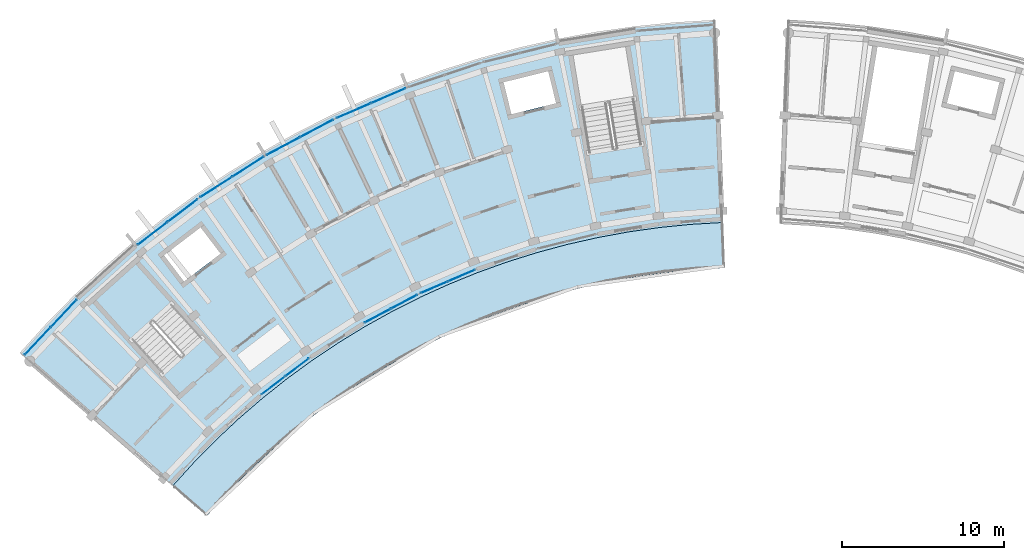
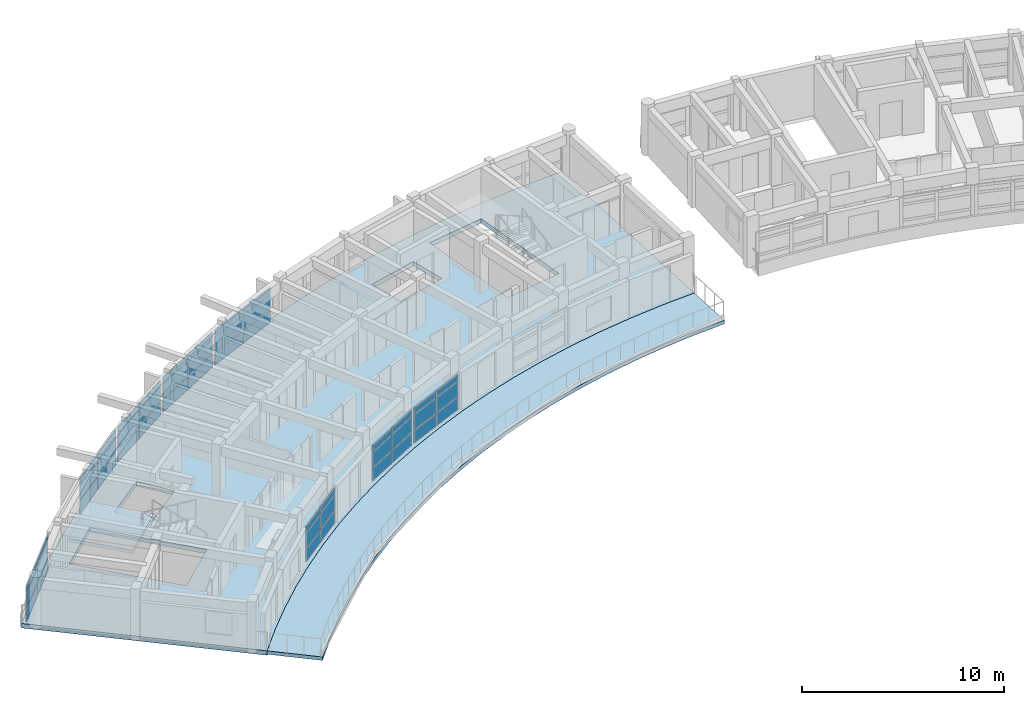
# One storey, part 10 of 23: 48 plates, 3 slabs, 9 elements without a shape of their own.
"""IFC4 building model written with IfcOpenShell, lengths in metres."""

from ifc_helpers import new_model, si_unit, direction, frame, origin, origin_2d, place, context, subcontext, project, spatial, polyline, rectangle, outline, extrude, material, layer, layer_set, type_object, element, aggregate, save


model = new_model("IFC4")

# Units and contexts
model_context = context("Model", 3, precision=1e-05, world=origin(), true_north=direction((0.0, 1.0)))
body_context = subcontext(model_context, "Body", "Model", "MODEL_VIEW")
ifc_project = project(units=[si_unit("LENGTHUNIT", "METRE"), si_unit("AREAUNIT", "SQUARE_METRE"), si_unit("VOLUMEUNIT", "CUBIC_METRE"), si_unit("PLANEANGLEUNIT", "RADIAN"), si_unit("MASSUNIT", "GRAM", prefix="KILO")], contexts=[model_context])

# Site, building, storey
site_placement = place(None, origin())
site = spatial("IfcSite", under=ifc_project, at=site_placement, CompositionType="ELEMENT")
building_placement = place(site_placement, origin())
building = spatial("IfcBuilding", under=site, at=building_placement, Name="Zimvara Arc Housing Community", CompositionType="ELEMENT")
storey_placement = place(building_placement, frame((0.0, 0.0, 36.0)))
storey = spatial("IfcBuildingStorey", under=building, at=storey_placement, Name="L11", CompositionType="ELEMENT", Elevation=36.0)

# Curtain wall, plates
ifc_material_1 = material(Name="Anodised Aluminium AW-6063", Category="aluminium")
curtain_wall_type_1 = type_object("IfcCurtainWallType", Name="CW-SYS-08", PredefinedType="USERDEFINED", material=ifc_material_1)
curtain_wall_1_placement = place(storey_placement, origin())
curtain_wall_1 = element("IfcCurtainWall", 1, at=curtain_wall_1_placement, inside=storey, type_object=curtain_wall_type_1, Name="cw:blkA:L11:out:b2", ObjectType="CURTAIN WALL", PredefinedType="USERDEFINED")
ifc_material_2 = material(Name="Pale-Gold Anodised Aluminium Spandrel Panel", Category="aluminium")
ifc_layer_1 = layer(ifc_material_2, 0.035888671875)
ifc_layer_set_1 = layer_set([ifc_layer_1], Name="Pale-Gold Anodised Aluminium Spandrel Panel")
plate_type_1 = type_object("IfcPlateType", Name="CWP-GLD-36", PredefinedType="CURTAIN_PANEL", material=ifc_layer_set_1)
plate_1_placement = place(storey_placement, frame((8.118896484375, 90.9892578125, 0.06494140625), z_axis=(0.0, 0.0, 1.0), x_axis=(0.795473999177, 0.60598771987, 0.0)))
plate_1 = element("IfcPlate", 2, at=plate_1_placement, type_object=plate_type_1, Name="CW08 panel 1.1", PredefinedType="CURTAIN_PANEL", context=body_context, shape_type="SweptSolid", body=[
    extrude(rectangle(XDim=2.266845703125, YDim=0.035888671875, at=origin_2d()), origin(), (0.0, 0.0, 1.0), 0.75244140625),
])
plate_2_placement = place(storey_placement, frame((8.118896484375, 90.9892578125, 0.88232421875), z_axis=(0.0, 0.0, 1.0), x_axis=(0.795473999177, 0.60598771987, 0.0)))
plate_2 = element("IfcPlate", 3, at=plate_2_placement, type_object=plate_type_1, Name="CW08 panel 1.2", PredefinedType="CURTAIN_PANEL", context=body_context, shape_type="SweptSolid", body=[
    extrude(rectangle(XDim=2.266845703125, YDim=0.035888671875, at=origin_2d()), origin(), (0.0, 0.0, 1.0), 0.885009765625),
])
plate_3_placement = place(storey_placement, frame((8.118896484375, 90.9892578125, 1.83251953125), z_axis=(0.0, 0.0, 1.0), x_axis=(0.795473999177, 0.60598771987, 0.0)))
plate_3 = element("IfcPlate", 4, at=plate_3_placement, type_object=plate_type_1, Name="CW08 panel 1.3", PredefinedType="CURTAIN_PANEL", context=body_context, shape_type="SweptSolid", body=[
    extrude(rectangle(XDim=2.266845703125, YDim=0.035888671875, at=origin_2d()), origin(), (0.0, 0.0, 1.0), 0.3525390625),
])
plate_4_placement = place(storey_placement, frame((9.973876953125, 92.40234375, 0.06494140625), z_axis=(0.0, 0.0, 1.0), x_axis=(0.795473999177, 0.60598771987, 0.0)))
plate_4 = element("IfcPlate", 5, at=plate_4_placement, type_object=plate_type_1, Name="CW08 panel 2.1", PredefinedType="CURTAIN_PANEL", context=body_context, shape_type="SweptSolid", body=[
    extrude(rectangle(XDim=2.266845703125, YDim=0.035888671875, at=origin_2d()), origin(), (0.0, 0.0, 1.0), 0.75244140625),
])
plate_5_placement = place(storey_placement, frame((9.973876953125, 92.40234375, 0.88232421875), z_axis=(0.0, 0.0, 1.0), x_axis=(0.795473999177, 0.60598771987, 0.0)))
plate_5 = element("IfcPlate", 6, at=plate_5_placement, type_object=plate_type_1, Name="CW08 panel 2.2", PredefinedType="CURTAIN_PANEL", context=body_context, shape_type="SweptSolid", body=[
    extrude(rectangle(XDim=2.266845703125, YDim=0.035888671875, at=origin_2d()), origin(), (0.0, 0.0, 1.0), 0.885009765625),
])
plate_6_placement = place(storey_placement, frame((9.973876953125, 92.40234375, 1.83251953125), z_axis=(0.0, 0.0, 1.0), x_axis=(0.795473999177, 0.60598771987, 0.0)))
plate_6 = element("IfcPlate", 7, at=plate_6_placement, type_object=plate_type_1, Name="CW08 panel 2.3", PredefinedType="CURTAIN_PANEL", context=body_context, shape_type="SweptSolid", body=[
    extrude(rectangle(XDim=2.266845703125, YDim=0.035888671875, at=origin_2d()), origin(), (0.0, 0.0, 1.0), 0.3525390625),
])
aggregate(curtain_wall_1, [plate_1, plate_2, plate_3, plate_4, plate_5, plate_6])

ifc_material_3 = material(Name="Anodised Aluminium AW-6063", Category="aluminium")
curtain_wall_type_2 = type_object("IfcCurtainWallType", Name="CW-SYS-04", PredefinedType="USERDEFINED", material=ifc_material_3)
curtain_wall_2_placement = place(storey_placement, origin())
curtain_wall_2 = element("IfcCurtainWall", 8, at=curtain_wall_2_placement, inside=storey, type_object=curtain_wall_type_2, Name="cw:blkA:L11:in:b4", ObjectType="CURTAIN WALL", PredefinedType="USERDEFINED")
plate_7_placement = place(storey_placement, frame((21.985595703125, 85.92578125, 0.06494140625), z_axis=(0.0, 0.0, 1.0), x_axis=(0.883438518424, 0.468547099195, 0.0)))
plate_7 = element("IfcPlate", 9, at=plate_7_placement, type_object=plate_type_1, Name="CW04 panel 1.1", PredefinedType="CURTAIN_PANEL", context=body_context, shape_type="SweptSolid", body=[
    extrude(rectangle(XDim=1.778564453125, YDim=0.035888671875, at=origin_2d()), origin(), (0.0, 0.0, 1.0), 0.75244140625),
])
plate_8_placement = place(storey_placement, frame((21.985595703125, 85.92578125, 0.88232421875), z_axis=(0.0, 0.0, 1.0), x_axis=(0.883438518424, 0.468547099195, 0.0)))
plate_8 = element("IfcPlate", 10, at=plate_8_placement, type_object=plate_type_1, Name="CW04 panel 1.2", PredefinedType="CURTAIN_PANEL", context=body_context, shape_type="SweptSolid", body=[
    extrude(rectangle(XDim=1.778564453125, YDim=0.035888671875, at=origin_2d()), origin(), (0.0, 0.0, 1.0), 0.885009765625),
])
plate_9_placement = place(storey_placement, frame((21.985595703125, 85.92578125, 1.83251953125), z_axis=(0.0, 0.0, 1.0), x_axis=(0.883438518424, 0.468547099195, 0.0)))
plate_9 = element("IfcPlate", 11, at=plate_9_placement, type_object=plate_type_1, Name="CW04 panel 1.3", PredefinedType="CURTAIN_PANEL", context=body_context, shape_type="SweptSolid", body=[
    extrude(rectangle(XDim=1.778564453125, YDim=0.035888671875, at=origin_2d()), origin(), (0.0, 0.0, 1.0), 0.3525390625),
])
plate_10_placement = place(storey_placement, frame((23.614501953125, 86.78955078125, 0.06494140625), z_axis=(0.0, 0.0, 1.0), x_axis=(0.883438518424, 0.468547099195, 0.0)))
plate_10 = element("IfcPlate", 12, at=plate_10_placement, type_object=plate_type_1, Name="CW04 panel 2.1", PredefinedType="CURTAIN_PANEL", context=body_context, shape_type="SweptSolid", body=[
    extrude(rectangle(XDim=1.778564453125, YDim=0.035888671875, at=origin_2d()), origin(), (0.0, 0.0, 1.0), 0.75244140625),
])
plate_11_placement = place(storey_placement, frame((23.614501953125, 86.78955078125, 0.88232421875), z_axis=(0.0, 0.0, 1.0), x_axis=(0.883438518424, 0.468547099195, 0.0)))
plate_11 = element("IfcPlate", 13, at=plate_11_placement, type_object=plate_type_1, Name="CW04 panel 2.2", PredefinedType="CURTAIN_PANEL", context=body_context, shape_type="SweptSolid", body=[
    extrude(rectangle(XDim=1.778564453125, YDim=0.035888671875, at=origin_2d()), origin(), (0.0, 0.0, 1.0), 0.885009765625),
])
plate_12_placement = place(storey_placement, frame((23.614501953125, 86.78955078125, 1.83251953125), z_axis=(0.0, 0.0, 1.0), x_axis=(0.883438518424, 0.468547099195, 0.0)))
plate_12 = element("IfcPlate", 14, at=plate_12_placement, type_object=plate_type_1, Name="CW04 panel 2.3", PredefinedType="CURTAIN_PANEL", context=body_context, shape_type="SweptSolid", body=[
    extrude(rectangle(XDim=1.778564453125, YDim=0.035888671875, at=origin_2d()), origin(), (0.0, 0.0, 1.0), 0.3525390625),
])
aggregate(curtain_wall_2, [plate_7, plate_8, plate_9, plate_10, plate_11, plate_12])

ifc_material_4 = material(Name="Anodised Aluminium AW-6063", Category="aluminium")
curtain_wall_type_3 = type_object("IfcCurtainWallType", Name="CW-SYS-01", PredefinedType="USERDEFINED", material=ifc_material_4)
curtain_wall_3_placement = place(storey_placement, origin())
curtain_wall_3 = element("IfcCurtainWall", 15, at=curtain_wall_3_placement, inside=storey, type_object=curtain_wall_type_3, Name="cw:blkA:L11:in:b2", ObjectType="CURTAIN WALL", PredefinedType="USERDEFINED")
ifc_material_5 = material(Name="Solar Control Low-E Double Glazing", Category="glass")
ifc_layer_2 = layer(ifc_material_5, 0.02392578125)
ifc_layer_set_2 = layer_set([ifc_layer_2], Name="Solar Control Low-E Double Glazing")
plate_type_2 = type_object("IfcPlateType", Name="CWP-GLZ-24", PredefinedType="CURTAIN_PANEL", material=ifc_layer_set_2)
plate_13_placement = place(storey_placement, frame((15.5546875, 81.63134765625, 0.06494140625), z_axis=(0.0, 0.0, 1.0), x_axis=(0.795473930895, 0.605987809503, 0.0)))
plate_13 = element("IfcPlate", 16, at=plate_13_placement, type_object=plate_type_2, Name="CW01 panel 1.1", PredefinedType="CURTAIN_PANEL", context=body_context, shape_type="SweptSolid", body=[
    extrude(rectangle(XDim=1.778564453125, YDim=0.02392578125, at=origin_2d()), origin(), (0.0, 0.0, 1.0), 0.75244140625),
])
plate_14_placement = place(storey_placement, frame((15.5546875, 81.63134765625, 0.88232421875), z_axis=(0.0, 0.0, 1.0), x_axis=(0.795473930895, 0.605987809503, 0.0)))
plate_14 = element("IfcPlate", 17, at=plate_14_placement, type_object=plate_type_2, Name="CW01 panel 1.2", PredefinedType="CURTAIN_PANEL", context=body_context, shape_type="SweptSolid", body=[
    extrude(rectangle(XDim=1.778564453125, YDim=0.02392578125, at=origin_2d()), origin(), (0.0, 0.0, 1.0), 0.885009765625),
])
plate_15_placement = place(storey_placement, frame((15.5546875, 81.63134765625, 1.83251953125), z_axis=(0.0, 0.0, 1.0), x_axis=(0.795473930895, 0.605987809503, 0.0)))
plate_15 = element("IfcPlate", 18, at=plate_15_placement, type_object=plate_type_2, Name="CW01 panel 1.3", PredefinedType="CURTAIN_PANEL", context=body_context, shape_type="SweptSolid", body=[
    extrude(rectangle(XDim=1.778564453125, YDim=0.02392578125, at=origin_2d()), origin(), (0.0, 0.0, 1.0), 0.3525390625),
])
plate_16_placement = place(storey_placement, frame((17.021240234375, 82.74853515625, 0.06494140625), z_axis=(0.0, 0.0, 1.0), x_axis=(0.795473930895, 0.605987809503, 0.0)))
plate_16 = element("IfcPlate", 19, at=plate_16_placement, type_object=plate_type_2, Name="CW01 panel 2.1", PredefinedType="CURTAIN_PANEL", context=body_context, shape_type="SweptSolid", body=[
    extrude(rectangle(XDim=1.778564453125, YDim=0.02392578125, at=origin_2d()), origin(), (0.0, 0.0, 1.0), 0.75244140625),
])
plate_17_placement = place(storey_placement, frame((17.021240234375, 82.74853515625, 0.88232421875), z_axis=(0.0, 0.0, 1.0), x_axis=(0.795473930895, 0.605987809503, 0.0)))
plate_17 = element("IfcPlate", 20, at=plate_17_placement, type_object=plate_type_2, Name="CW01 panel 2.2", PredefinedType="CURTAIN_PANEL", context=body_context, shape_type="SweptSolid", body=[
    extrude(rectangle(XDim=1.778564453125, YDim=0.02392578125, at=origin_2d()), origin(), (0.0, 0.0, 1.0), 0.885009765625),
])
plate_18_placement = place(storey_placement, frame((17.021240234375, 82.74853515625, 1.83251953125), z_axis=(0.0, 0.0, 1.0), x_axis=(0.795473930895, 0.605987809503, 0.0)))
plate_18 = element("IfcPlate", 21, at=plate_18_placement, type_object=plate_type_2, Name="CW01 panel 2.3", PredefinedType="CURTAIN_PANEL", context=body_context, shape_type="SweptSolid", body=[
    extrude(rectangle(XDim=1.778564453125, YDim=0.02392578125, at=origin_2d()), origin(), (0.0, 0.0, 1.0), 0.3525390625),
])
aggregate(curtain_wall_3, [plate_13, plate_14, plate_15, plate_16, plate_17, plate_18])

ifc_material_6 = material(Name="Anodised Aluminium AW-6063", Category="aluminium")
curtain_wall_type_4 = type_object("IfcCurtainWallType", Name="CW-SYS-05", PredefinedType="USERDEFINED", material=ifc_material_6)
curtain_wall_4_placement = place(storey_placement, origin())
curtain_wall_4 = element("IfcCurtainWall", 22, at=curtain_wall_4_placement, inside=storey, type_object=curtain_wall_type_4, Name="cw:blkA:L11:out:b5", ObjectType="CURTAIN WALL", PredefinedType="USERDEFINED")
plate_19_placement = place(storey_placement, frame((20.4990234375, 98.5478515625, 0.06494140625), z_axis=(0.0, 0.0, 1.0), x_axis=(0.918722299363, 0.394904211998, 0.0)))
plate_19 = element("IfcPlate", 23, at=plate_19_placement, type_object=plate_type_2, Name="CW05 panel 1.1", PredefinedType="CURTAIN_PANEL", context=body_context, shape_type="SweptSolid", body=[
    extrude(rectangle(XDim=2.266845703125, YDim=0.02392578125, at=origin_2d()), origin(), (0.0, 0.0, 1.0), 0.75244140625),
])
plate_20_placement = place(storey_placement, frame((20.4990234375, 98.5478515625, 0.88232421875), z_axis=(0.0, 0.0, 1.0), x_axis=(0.918722299363, 0.394904211998, 0.0)))
plate_20 = element("IfcPlate", 24, at=plate_20_placement, type_object=plate_type_2, Name="CW05 panel 1.2", PredefinedType="CURTAIN_PANEL", context=body_context, shape_type="SweptSolid", body=[
    extrude(rectangle(XDim=2.266845703125, YDim=0.02392578125, at=origin_2d()), origin(), (0.0, 0.0, 1.0), 0.885009765625),
])
plate_21_placement = place(storey_placement, frame((20.4990234375, 98.5478515625, 1.83251953125), z_axis=(0.0, 0.0, 1.0), x_axis=(0.918722299363, 0.394904211998, 0.0)))
plate_21 = element("IfcPlate", 25, at=plate_21_placement, type_object=plate_type_2, Name="CW05 panel 1.3", PredefinedType="CURTAIN_PANEL", context=body_context, shape_type="SweptSolid", body=[
    extrude(rectangle(XDim=2.266845703125, YDim=0.02392578125, at=origin_2d()), origin(), (0.0, 0.0, 1.0), 0.3525390625),
])
plate_22_placement = place(storey_placement, frame((22.641357421875, 99.46875, 0.06494140625), z_axis=(0.0, 0.0, 1.0), x_axis=(0.918722299363, 0.394904211998, 0.0)))
plate_22 = element("IfcPlate", 26, at=plate_22_placement, type_object=plate_type_2, Name="CW05 panel 2.1", PredefinedType="CURTAIN_PANEL", context=body_context, shape_type="SweptSolid", body=[
    extrude(rectangle(XDim=2.266845703125, YDim=0.02392578125, at=origin_2d()), origin(), (0.0, 0.0, 1.0), 0.75244140625),
])
plate_23_placement = place(storey_placement, frame((22.641357421875, 99.46875, 0.88232421875), z_axis=(0.0, 0.0, 1.0), x_axis=(0.918722299363, 0.394904211998, 0.0)))
plate_23 = element("IfcPlate", 27, at=plate_23_placement, type_object=plate_type_2, Name="CW05 panel 2.2", PredefinedType="CURTAIN_PANEL", context=body_context, shape_type="SweptSolid", body=[
    extrude(rectangle(XDim=2.266845703125, YDim=0.02392578125, at=origin_2d()), origin(), (0.0, 0.0, 1.0), 0.885009765625),
])
plate_24_placement = place(storey_placement, frame((22.641357421875, 99.46875, 1.83251953125), z_axis=(0.0, 0.0, 1.0), x_axis=(0.918722299363, 0.394904211998, 0.0)))
plate_24 = element("IfcPlate", 28, at=plate_24_placement, type_object=plate_type_2, Name="CW05 panel 2.3", PredefinedType="CURTAIN_PANEL", context=body_context, shape_type="SweptSolid", body=[
    extrude(rectangle(XDim=2.266845703125, YDim=0.02392578125, at=origin_2d()), origin(), (0.0, 0.0, 1.0), 0.3525390625),
])
aggregate(curtain_wall_4, [plate_19, plate_20, plate_21, plate_22, plate_23, plate_24])

ifc_material_7 = material(Name="Anodised Aluminium AW-6063", Category="aluminium")
curtain_wall_type_5 = type_object("IfcCurtainWallType", Name="CW-SYS-02", PredefinedType="USERDEFINED", material=ifc_material_7)
curtain_wall_5_placement = place(storey_placement, origin())
curtain_wall_5 = element("IfcCurtainWall", 29, at=curtain_wall_5_placement, inside=storey, type_object=curtain_wall_type_5, Name="cw:blkA:L11:out:b3", ObjectType="CURTAIN WALL", PredefinedType="USERDEFINED")
ifc_material_8 = material(Name="Solar Control Low-E Double Glazing", Category="glass")
ifc_layer_3 = layer(ifc_material_8, 0.028076171875)
ifc_layer_set_3 = layer_set([ifc_layer_3], Name="Solar Control Low-E Double Glazing")
plate_type_3 = type_object("IfcPlateType", Name="CWP-GLZ-28", PredefinedType="CURTAIN_PANEL", material=ifc_layer_set_3)
plate_25_placement = place(storey_placement, frame((12.034912109375, 93.843505859375, 0.06494140625), z_axis=(0.0, 0.0, 1.0), x_axis=(0.842264410931, 0.539064617721, 0.0)))
plate_25 = element("IfcPlate", 30, at=plate_25_placement, type_object=plate_type_3, Name="CW02 panel 1.1", PredefinedType="CURTAIN_PANEL", context=body_context, shape_type="SweptSolid", body=[
    extrude(rectangle(XDim=2.266845703125, YDim=0.028076171875, at=origin_2d()), origin(), (0.0, 0.0, 1.0), 0.75244140625),
])
plate_26_placement = place(storey_placement, frame((12.034912109375, 93.843505859375, 0.88232421875), z_axis=(0.0, 0.0, 1.0), x_axis=(0.842264410931, 0.539064617721, 0.0)))
plate_26 = element("IfcPlate", 31, at=plate_26_placement, type_object=plate_type_3, Name="CW02 panel 1.2", PredefinedType="CURTAIN_PANEL", context=body_context, shape_type="SweptSolid", body=[
    extrude(rectangle(XDim=2.266845703125, YDim=0.028076171875, at=origin_2d()), origin(), (0.0, 0.0, 1.0), 0.885009765625),
])
plate_27_placement = place(storey_placement, frame((12.034912109375, 93.843505859375, 1.83251953125), z_axis=(0.0, 0.0, 1.0), x_axis=(0.842264410931, 0.539064617721, 0.0)))
plate_27 = element("IfcPlate", 32, at=plate_27_placement, type_object=plate_type_3, Name="CW02 panel 1.3", PredefinedType="CURTAIN_PANEL", context=body_context, shape_type="SweptSolid", body=[
    extrude(rectangle(XDim=2.266845703125, YDim=0.028076171875, at=origin_2d()), origin(), (0.0, 0.0, 1.0), 0.3525390625),
])
plate_28_placement = place(storey_placement, frame((13.9990234375, 95.1005859375, 0.06494140625), z_axis=(0.0, 0.0, 1.0), x_axis=(0.842264410931, 0.539064617721, 0.0)))
plate_28 = element("IfcPlate", 33, at=plate_28_placement, type_object=plate_type_3, Name="CW02 panel 2.1", PredefinedType="CURTAIN_PANEL", context=body_context, shape_type="SweptSolid", body=[
    extrude(rectangle(XDim=2.266845703125, YDim=0.028076171875, at=origin_2d()), origin(), (0.0, 0.0, 1.0), 0.75244140625),
])
plate_29_placement = place(storey_placement, frame((13.9990234375, 95.1005859375, 0.88232421875), z_axis=(0.0, 0.0, 1.0), x_axis=(0.842264410931, 0.539064617721, 0.0)))
plate_29 = element("IfcPlate", 34, at=plate_29_placement, type_object=plate_type_3, Name="CW02 panel 2.2", PredefinedType="CURTAIN_PANEL", context=body_context, shape_type="SweptSolid", body=[
    extrude(rectangle(XDim=2.266845703125, YDim=0.028076171875, at=origin_2d()), origin(), (0.0, 0.0, 1.0), 0.885009765625),
])
plate_30_placement = place(storey_placement, frame((13.9990234375, 95.1005859375, 1.83251953125), z_axis=(0.0, 0.0, 1.0), x_axis=(0.842264410931, 0.539064617721, 0.0)))
plate_30 = element("IfcPlate", 35, at=plate_30_placement, type_object=plate_type_3, Name="CW02 panel 2.3", PredefinedType="CURTAIN_PANEL", context=body_context, shape_type="SweptSolid", body=[
    extrude(rectangle(XDim=2.266845703125, YDim=0.028076171875, at=origin_2d()), origin(), (0.0, 0.0, 1.0), 0.3525390625),
])
aggregate(curtain_wall_5, [plate_25, plate_26, plate_27, plate_28, plate_29, plate_30])

ifc_material_9 = material(Name="Anodised Aluminium AW-6063", Category="aluminium")
curtain_wall_type_6 = type_object("IfcCurtainWallType", Name="CW-SYS-06", PredefinedType="USERDEFINED", material=ifc_material_9)
curtain_wall_6_placement = place(storey_placement, origin())
curtain_wall_6 = element("IfcCurtainWall", 36, at=curtain_wall_6_placement, inside=storey, type_object=curtain_wall_type_6, Name="cw:blkA:L11:in:b5", ObjectType="CURTAIN WALL", PredefinedType="USERDEFINED")
plate_31_placement = place(storey_placement, frame((25.4423828125, 87.66552734375, 0.06494140625), z_axis=(0.0, 0.0, 1.0), x_axis=(0.918722411261, 0.394903951674, 0.0)))
plate_31 = element("IfcPlate", 37, at=plate_31_placement, type_object=plate_type_3, Name="CW06 panel 1.1", PredefinedType="CURTAIN_PANEL", context=body_context, shape_type="SweptSolid", body=[
    extrude(rectangle(XDim=1.778564453125, YDim=0.028076171875, at=origin_2d()), origin(), (0.0, 0.0, 1.0), 0.75244140625),
])
plate_32_placement = place(storey_placement, frame((25.4423828125, 87.66552734375, 0.88232421875), z_axis=(0.0, 0.0, 1.0), x_axis=(0.918722411261, 0.394903951674, 0.0)))
plate_32 = element("IfcPlate", 38, at=plate_32_placement, type_object=plate_type_3, Name="CW06 panel 1.2", PredefinedType="CURTAIN_PANEL", context=body_context, shape_type="SweptSolid", body=[
    extrude(rectangle(XDim=1.778564453125, YDim=0.028076171875, at=origin_2d()), origin(), (0.0, 0.0, 1.0), 0.885009765625),
])
plate_33_placement = place(storey_placement, frame((25.4423828125, 87.66552734375, 1.83251953125), z_axis=(0.0, 0.0, 1.0), x_axis=(0.918722411261, 0.394903951674, 0.0)))
plate_33 = element("IfcPlate", 39, at=plate_33_placement, type_object=plate_type_3, Name="CW06 panel 1.3", PredefinedType="CURTAIN_PANEL", context=body_context, shape_type="SweptSolid", body=[
    extrude(rectangle(XDim=1.778564453125, YDim=0.028076171875, at=origin_2d()), origin(), (0.0, 0.0, 1.0), 0.3525390625),
])
plate_34_placement = place(storey_placement, frame((27.13623046875, 88.3935546875, 0.06494140625), z_axis=(0.0, 0.0, 1.0), x_axis=(0.918722411261, 0.394903951674, 0.0)))
plate_34 = element("IfcPlate", 40, at=plate_34_placement, type_object=plate_type_3, Name="CW06 panel 2.1", PredefinedType="CURTAIN_PANEL", context=body_context, shape_type="SweptSolid", body=[
    extrude(rectangle(XDim=1.778564453125, YDim=0.028076171875, at=origin_2d()), origin(), (0.0, 0.0, 1.0), 0.75244140625),
])
plate_35_placement = place(storey_placement, frame((27.13623046875, 88.3935546875, 0.88232421875), z_axis=(0.0, 0.0, 1.0), x_axis=(0.918722411261, 0.394903951674, 0.0)))
plate_35 = element("IfcPlate", 41, at=plate_35_placement, type_object=plate_type_3, Name="CW06 panel 2.2", PredefinedType="CURTAIN_PANEL", context=body_context, shape_type="SweptSolid", body=[
    extrude(rectangle(XDim=1.778564453125, YDim=0.028076171875, at=origin_2d()), origin(), (0.0, 0.0, 1.0), 0.885009765625),
])
plate_36_placement = place(storey_placement, frame((27.13623046875, 88.3935546875, 1.83251953125), z_axis=(0.0, 0.0, 1.0), x_axis=(0.918722411261, 0.394903951674, 0.0)))
plate_36 = element("IfcPlate", 42, at=plate_36_placement, type_object=plate_type_3, Name="CW06 panel 2.3", PredefinedType="CURTAIN_PANEL", context=body_context, shape_type="SweptSolid", body=[
    extrude(rectangle(XDim=1.778564453125, YDim=0.028076171875, at=origin_2d()), origin(), (0.0, 0.0, 1.0), 0.3525390625),
])
aggregate(curtain_wall_6, [plate_31, plate_32, plate_33, plate_34, plate_35, plate_36])

ifc_material_10 = material(Name="Anodised Aluminium AW-6063", Category="aluminium")
curtain_wall_type_7 = type_object("IfcCurtainWallType", Name="CW-SYS-07", PredefinedType="USERDEFINED", material=ifc_material_10)
curtain_wall_7_placement = place(storey_placement, origin())
curtain_wall_7 = element("IfcCurtainWall", 43, at=curtain_wall_7_placement, inside=storey, type_object=curtain_wall_type_7, Name="cw:blkA:L11:out:b0", ObjectType="CURTAIN WALL", PredefinedType="USERDEFINED")
ifc_material_11 = material(Name="Acoustic Laminated Solar Glazing", Category="glass")
ifc_layer_4 = layer(ifc_material_11, 0.031982421875)
ifc_layer_set_4 = layer_set([ifc_layer_4], Name="Acoustic Laminated Solar Glazing")
plate_type_4 = type_object("IfcPlateType", Name="CWP-GLZ-32", PredefinedType="CURTAIN_PANEL", material=ifc_layer_set_4)
plate_37_placement = place(storey_placement, frame((1.049072265625, 84.3720703125, 0.06494140625), z_axis=(0.0, 0.0, 1.0), x_axis=(0.686326416495, 0.727293647725, 0.0)))
plate_37 = element("IfcPlate", 44, at=plate_37_placement, type_object=plate_type_4, Name="CW07 panel 1.1", PredefinedType="CURTAIN_PANEL", context=body_context, shape_type="SweptSolid", body=[
    extrude(rectangle(XDim=2.266845703125, YDim=0.031982421875, at=origin_2d()), origin(), (0.0, 0.0, 1.0), 0.75244140625),
])
plate_38_placement = place(storey_placement, frame((1.049072265625, 84.3720703125, 0.88232421875), z_axis=(0.0, 0.0, 1.0), x_axis=(0.686326416495, 0.727293647725, 0.0)))
plate_38 = element("IfcPlate", 45, at=plate_38_placement, type_object=plate_type_4, Name="CW07 panel 1.2", PredefinedType="CURTAIN_PANEL", context=body_context, shape_type="SweptSolid", body=[
    extrude(rectangle(XDim=2.266845703125, YDim=0.031982421875, at=origin_2d()), origin(), (0.0, 0.0, 1.0), 0.885009765625),
])
plate_39_placement = place(storey_placement, frame((1.049072265625, 84.3720703125, 1.83251953125), z_axis=(0.0, 0.0, 1.0), x_axis=(0.686326416495, 0.727293647725, 0.0)))
plate_39 = element("IfcPlate", 46, at=plate_39_placement, type_object=plate_type_4, Name="CW07 panel 1.3", PredefinedType="CURTAIN_PANEL", context=body_context, shape_type="SweptSolid", body=[
    extrude(rectangle(XDim=2.266845703125, YDim=0.031982421875, at=origin_2d()), origin(), (0.0, 0.0, 1.0), 0.3525390625),
])
plate_40_placement = place(storey_placement, frame((2.649658203125, 86.068115234375, 0.06494140625), z_axis=(0.0, 0.0, 1.0), x_axis=(0.686326416495, 0.727293647725, 0.0)))
plate_40 = element("IfcPlate", 47, at=plate_40_placement, type_object=plate_type_4, Name="CW07 panel 2.1", PredefinedType="CURTAIN_PANEL", context=body_context, shape_type="SweptSolid", body=[
    extrude(rectangle(XDim=2.266845703125, YDim=0.031982421875, at=origin_2d()), origin(), (0.0, 0.0, 1.0), 0.75244140625),
])
plate_41_placement = place(storey_placement, frame((2.649658203125, 86.068115234375, 0.88232421875), z_axis=(0.0, 0.0, 1.0), x_axis=(0.686326416495, 0.727293647725, 0.0)))
plate_41 = element("IfcPlate", 48, at=plate_41_placement, type_object=plate_type_4, Name="CW07 panel 2.2", PredefinedType="CURTAIN_PANEL", context=body_context, shape_type="SweptSolid", body=[
    extrude(rectangle(XDim=2.266845703125, YDim=0.031982421875, at=origin_2d()), origin(), (0.0, 0.0, 1.0), 0.885009765625),
])
plate_42_placement = place(storey_placement, frame((2.649658203125, 86.068115234375, 1.83251953125), z_axis=(0.0, 0.0, 1.0), x_axis=(0.686326416495, 0.727293647725, 0.0)))
plate_42 = element("IfcPlate", 49, at=plate_42_placement, type_object=plate_type_4, Name="CW07 panel 2.3", PredefinedType="CURTAIN_PANEL", context=body_context, shape_type="SweptSolid", body=[
    extrude(rectangle(XDim=2.266845703125, YDim=0.031982421875, at=origin_2d()), origin(), (0.0, 0.0, 1.0), 0.3525390625),
])
aggregate(curtain_wall_7, [plate_37, plate_38, plate_39, plate_40, plate_41, plate_42])

ifc_material_12 = material(Name="Anodised Aluminium AW-6063", Category="aluminium")
curtain_wall_type_8 = type_object("IfcCurtainWallType", Name="CW-SYS-03", PredefinedType="USERDEFINED", material=ifc_material_12)
curtain_wall_8_placement = place(storey_placement, origin())
curtain_wall_8 = element("IfcCurtainWall", 50, at=curtain_wall_8_placement, inside=storey, type_object=curtain_wall_type_8, Name="cw:blkA:L11:out:b4", ObjectType="CURTAIN WALL", PredefinedType="USERDEFINED")
plate_43_placement = place(storey_placement, frame((16.1708984375, 96.36865234375, 0.06494140625), z_axis=(0.0, 0.0, 1.0), x_axis=(0.883438614651, 0.468546917761, 0.0)))
plate_43 = element("IfcPlate", 51, at=plate_43_placement, type_object=plate_type_4, Name="CW03 panel 1.1", PredefinedType="CURTAIN_PANEL", context=body_context, shape_type="SweptSolid", body=[
    extrude(rectangle(XDim=2.266845703125, YDim=0.031982421875, at=origin_2d()), origin(), (0.0, 0.0, 1.0), 0.75244140625),
])
plate_44_placement = place(storey_placement, frame((16.1708984375, 96.36865234375, 0.88232421875), z_axis=(0.0, 0.0, 1.0), x_axis=(0.883438614651, 0.468546917761, 0.0)))
plate_44 = element("IfcPlate", 52, at=plate_44_placement, type_object=plate_type_4, Name="CW03 panel 1.2", PredefinedType="CURTAIN_PANEL", context=body_context, shape_type="SweptSolid", body=[
    extrude(rectangle(XDim=2.266845703125, YDim=0.031982421875, at=origin_2d()), origin(), (0.0, 0.0, 1.0), 0.885009765625),
])
plate_45_placement = place(storey_placement, frame((16.1708984375, 96.36865234375, 1.83251953125), z_axis=(0.0, 0.0, 1.0), x_axis=(0.883438614651, 0.468546917761, 0.0)))
plate_45 = element("IfcPlate", 53, at=plate_45_placement, type_object=plate_type_4, Name="CW03 panel 1.3", PredefinedType="CURTAIN_PANEL", context=body_context, shape_type="SweptSolid", body=[
    extrude(rectangle(XDim=2.266845703125, YDim=0.031982421875, at=origin_2d()), origin(), (0.0, 0.0, 1.0), 0.3525390625),
])
plate_46_placement = place(storey_placement, frame((18.23095703125, 97.461181640625, 0.06494140625), z_axis=(0.0, 0.0, 1.0), x_axis=(0.883438614651, 0.468546917761, 0.0)))
plate_46 = element("IfcPlate", 54, at=plate_46_placement, type_object=plate_type_4, Name="CW03 panel 2.1", PredefinedType="CURTAIN_PANEL", context=body_context, shape_type="SweptSolid", body=[
    extrude(rectangle(XDim=2.266845703125, YDim=0.031982421875, at=origin_2d()), origin(), (0.0, 0.0, 1.0), 0.75244140625),
])
plate_47_placement = place(storey_placement, frame((18.23095703125, 97.461181640625, 0.88232421875), z_axis=(0.0, 0.0, 1.0), x_axis=(0.883438614651, 0.468546917761, 0.0)))
plate_47 = element("IfcPlate", 55, at=plate_47_placement, type_object=plate_type_4, Name="CW03 panel 2.2", PredefinedType="CURTAIN_PANEL", context=body_context, shape_type="SweptSolid", body=[
    extrude(rectangle(XDim=2.266845703125, YDim=0.031982421875, at=origin_2d()), origin(), (0.0, 0.0, 1.0), 0.885009765625),
])
plate_48_placement = place(storey_placement, frame((18.23095703125, 97.461181640625, 1.83251953125), z_axis=(0.0, 0.0, 1.0), x_axis=(0.883438614651, 0.468546917761, 0.0)))
plate_48 = element("IfcPlate", 56, at=plate_48_placement, type_object=plate_type_4, Name="CW03 panel 2.3", PredefinedType="CURTAIN_PANEL", context=body_context, shape_type="SweptSolid", body=[
    extrude(rectangle(XDim=2.266845703125, YDim=0.031982421875, at=origin_2d()), origin(), (0.0, 0.0, 1.0), 0.3525390625),
])
aggregate(curtain_wall_8, [plate_43, plate_44, plate_45, plate_46, plate_47, plate_48])

# Stair, slab
ifc_material_13 = material(Name="Concrete C35/45", Category="concrete")
stair_type = type_object("IfcStairType", Name="STR-DL-312-310", PredefinedType="HALF_TURN_STAIR", material=ifc_material_13)
stair_placement = place(storey_placement, origin())
stair = element("IfcStair", 57, at=stair_placement, inside=storey, type_object=stair_type, Name="L11 Block A Exit Stair 1", PredefinedType="HALF_TURN_STAIR")
ifc_material_14 = material(Name="Concrete C35/45", Category="concrete")
ifc_layer_5 = layer(ifc_material_14, 0.199951171875)
ifc_layer_set_5 = layer_set([ifc_layer_5], Name="Concrete C35/45")
slab_type_1 = type_object("IfcSlabType", Name="SLB-STAIR-LND-200", PredefinedType="LANDING", material=ifc_layer_set_5)
slab_1_placement = place(storey_placement, frame((0.0, 0.0, 1.35009765625)))
slab_1 = element("IfcSlab", 58, at=slab_1_placement, type_object=slab_type_1, Name="ST-A1 landing 1", PredefinedType="LANDING", context=body_context, shape_type="SweptSolid", body=[
    extrude(outline(polyline([(9.3486328125, 86.634521484375), (7.09326171875, 89.14111328125), (4.595458984375, 86.8935546875), (6.850830078125, 84.386962890625), (9.3486328125, 86.634521484375)])), origin(), (0.0, 0.0, 1.0), 0.199951171875),
])
aggregate(stair, [slab_1])

# Slabs
ifc_material_15 = material(Name="Concrete C35/45", Category="concrete")
ifc_layer_6 = layer(ifc_material_15, 0.2099609375)
ifc_layer_set_6 = layer_set([ifc_layer_6], Name="Concrete C35/45")
slab_type_2 = type_object("IfcSlabType", Name="SLB-TER-210", PredefinedType="FLOOR", material=ifc_layer_set_6)
slab_2_placement = place(storey_placement, frame((0.0, 0.0, -0.2099609375)))
element("IfcSlab", 59, at=slab_2_placement, inside=storey, type_object=slab_type_2, Name="slab:blkA:L11:terrace", PredefinedType="FLOOR", context=body_context, shape_type="SweptSolid", body=[
    extrude(outline(polyline([(11.490966796875, 73.62890625), (12.708251953125, 74.972900390625), (13.979248046875, 76.265869140625), (15.302001953125, 77.506103515625), (16.674560546875, 78.69091796875), (18.093994140625, 79.819091796875), (19.55859375, 80.88818359375), (21.0654296875, 81.896484375), (22.6123046875, 82.842529296875), (24.196533203125, 83.724609375), (25.8154296875, 84.541259765625), (27.46630859375, 85.291259765625), (29.146240234375, 85.97314453125), (30.852783203125, 86.5859375), (32.5830078125, 87.12841796875), (34.333984375, 87.599853515625), (36.1025390625, 87.999267578125), (37.885986328125, 88.326416015625), (39.681396484375, 88.580322265625), (41.485595703125, 88.7607421875), (43.295654296875, 88.8671875), (43.18798828125, 91.665283203125), (41.263916015625, 91.552001953125), (39.345947265625, 91.360107421875), (37.437255859375, 91.090087890625), (35.54150390625, 90.74267578125), (33.6611328125, 90.31787109375), (31.800048828125, 89.816650390625), (29.960693359375, 89.239990234375), (28.146484375, 88.588623046875), (26.360595703125, 87.86376953125), (24.60546875, 87.06640625), (22.884521484375, 86.1982421875), (21.200439453125, 85.260498046875), (19.55615234375, 84.2548828125), (17.9541015625, 83.182861328125), (16.3974609375, 82.04638671875), (14.88818359375, 80.84716796875), (13.42919921875, 79.58740234375), (12.02294921875, 78.269287109375), (10.671630859375, 76.89453125), (9.377685546875, 75.466064453125), (11.490966796875, 73.62890625)])), origin(), (0.0, 0.0, 1.0), 0.2099609375),
])
ifc_material_16 = material(Name="Concrete C35/45", Category="concrete")
ifc_layer_7 = layer(ifc_material_16, 0.27197265625)
ifc_layer_set_7 = layer_set([ifc_layer_7], Name="Concrete C35/45")
slab_type_3 = type_object("IfcSlabType", Name="SLB-VAR-12", PredefinedType="FLOOR", material=ifc_layer_set_7)
slab_3_placement = place(storey_placement, frame((0.0, 0.0, -0.27197265625)))
element("IfcSlab", 60, at=slab_3_placement, inside=storey, type_object=slab_type_3, Name="slab:blkA:L11:main", PredefinedType="FLOOR", context=body_context, shape_type="SweptSolid", body=[
    extrude(outline(polyline([(9.377685546875, 75.466064453125), (10.671630859375, 76.89453125), (12.02294921875, 78.269287109375), (13.42919921875, 79.58740234375), (14.88818359375, 80.84716796875), (16.3974609375, 82.04638671875), (17.9541015625, 83.182861328125), (19.55615234375, 84.2548828125), (21.200439453125, 85.260498046875), (22.884521484375, 86.1982421875), (24.60546875, 87.06640625), (26.360595703125, 87.86376953125), (28.146484375, 88.588623046875), (29.960693359375, 89.239990234375), (31.800048828125, 89.816650390625), (33.6611328125, 90.31787109375), (35.54150390625, 90.74267578125), (37.437255859375, 91.090087890625), (39.345947265625, 91.360107421875), (41.263916015625, 91.552001953125), (43.18798828125, 91.665283203125), (42.712158203125, 104.05615234375), (40.282470703125, 103.9130859375), (37.860595703125, 103.6708984375), (35.450439453125, 103.330078125), (33.056640625, 102.89111328125), (30.682373046875, 102.354736328125), (28.332275390625, 101.721923828125), (26.009765625, 100.99365234375), (23.718994140625, 100.171142578125), (21.463623046875, 99.255859375), (19.247802734375, 98.249267578125), (17.07470703125, 97.15283203125), (14.947998046875, 95.96875), (12.871826171875, 94.698974609375), (10.848876953125, 93.34521484375), (8.883056640625, 91.91015625), (6.9775390625, 90.39599609375), (5.13525390625, 88.805419921875), (3.359619140625, 87.140869140625), (1.6533203125, 85.405029296875), (0.019287109375, 83.60107421875), (9.377685546875, 75.466064453125)]), holes=[polyline([(8.73193359375, 82.356201171875), (4.65185546875, 86.890625), (7.090087890625, 89.08447265625), (11.17041015625, 84.550048828125), (8.73193359375, 82.356201171875)]), polyline([(34.9853515625, 95.960205078125), (34.008056640625, 101.9814453125), (37.24560546875, 102.507080078125), (38.222900390625, 96.48583984375), (34.9853515625, 95.960205078125)]), polyline([(10.05615234375, 88.02685546875), (8.820068359375, 89.649658203125), (11.0791015625, 91.37060546875), (12.3154296875, 89.747802734375), (10.05615234375, 88.02685546875)]), polyline([(30.216796875, 98.324951171875), (29.726806640625, 100.30517578125), (32.483642578125, 100.9873046875), (32.9736328125, 99.007080078125), (30.216796875, 98.324951171875)])]), origin(), (0.0, 0.0, 1.0), 0.27197265625),
])

save(model, "model.ifc")
